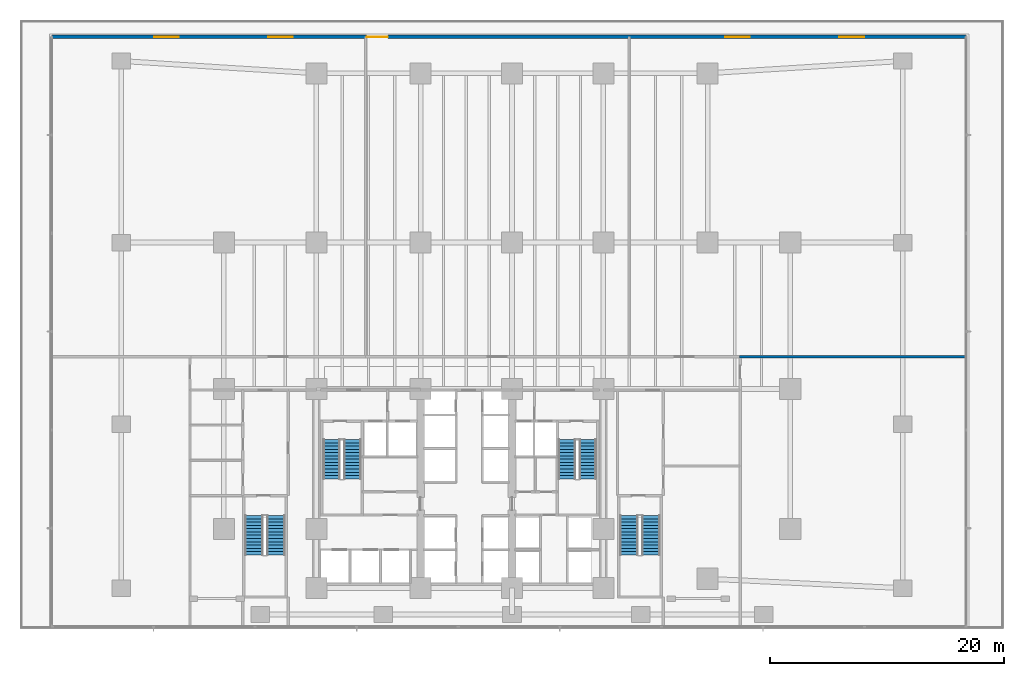
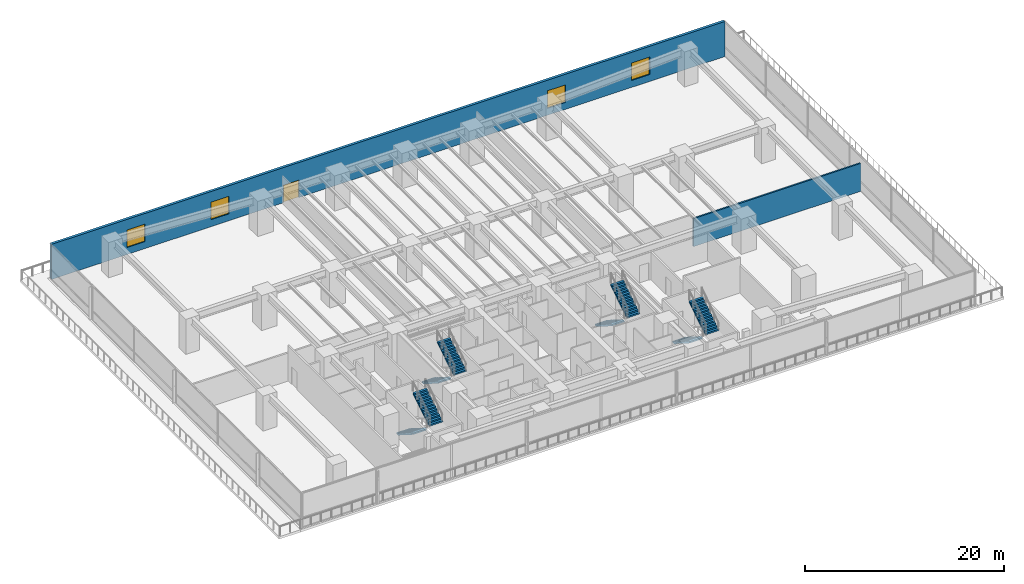
# One storey, part 13 of 27: 8 stair flights, 4 windows, 2 walls, 1 door, 5 openings, 4 elements without a shape of their own.
"""IFC4 building model written with IfcOpenShell, lengths in metres."""

from ifc_helpers import new_model, si_unit, direction, frame, frame_2d, origin, place, context, subcontext, project, spatial, polyline, rectangle, outline, extrude, material, layer, layer_set, type_object, element, fill, aggregate, save


model = new_model("IFC4")

# Units and contexts
model_context = context("Model", 3, precision=1e-05, world=origin(), true_north=direction((0.0, 1.0)))
body_context = subcontext(model_context, "Body", "Model", "MODEL_VIEW")
ifc_project = project(units=[si_unit("LENGTHUNIT", "METRE"), si_unit("AREAUNIT", "SQUARE_METRE"), si_unit("VOLUMEUNIT", "CUBIC_METRE"), si_unit("PLANEANGLEUNIT", "RADIAN"), si_unit("MASSUNIT", "GRAM", prefix="KILO")], contexts=[model_context])

# Site, building, storey
site_placement = place(None, origin())
site = spatial("IfcSite", under=ifc_project, at=site_placement, CompositionType="ELEMENT")
building_placement = place(site_placement, origin())
building = spatial("IfcBuilding", under=site, at=building_placement, Name="Qalmaran Belvedere Hotel", CompositionType="ELEMENT")
storey_placement = place(building_placement, frame((0.0, 0.0, 5.39990234375)))
storey = spatial("IfcBuildingStorey", under=building, at=storey_placement, Name="L01", CompositionType="ELEMENT", Elevation=5.39990234375)

# Wall, openings, door, windows
ifc_material_1 = material(Name="Riyadh Limestone Cladding", Category="masonry")
ifc_layer_1 = layer(ifc_material_1, 0.300048828125, Name="Riyadh Limestone Cladding")
ifc_layer_set_1 = layer_set([ifc_layer_1], Name="Riyadh Limestone Cladding")
wall_type_1 = type_object("IfcWallType", Name="WL-EXT-BRNZ-300", PredefinedType="SOLIDWALL", material=ifc_layer_set_1)
wall_1_placement = place(storey_placement, frame((-2.25, 50.550048828125, 0.0), z_axis=(0.0, 0.0, 1.0), x_axis=(1.0, 0.0, 0.0)))
wall_1 = element("IfcWall", 1, at=wall_1_placement, inside=storey, type_object=wall_type_1, Name="L01 North Terrace Wall", PredefinedType="SOLIDWALL", context=body_context, shape_type="SweptSolid", body=[
    extrude(rectangle(XDim=78.0, YDim=0.300048828125, at=frame_2d((39.0, 0.0))), origin(), (0.0, 0.0, 1.0), 4.300048828125),
])
opening_1_placement = place(wall_1_placement, frame((26.85009765625, 0.0, 0.0)))
opening_1 = element("IfcOpeningElement", 2, at=opening_1_placement, cuts=wall_1, Name="Opening TR-180", PredefinedType="OPENING", context=body_context, shape_type="SweptSolid", body=[
    extrude(rectangle(XDim=1.800048828125, YDim=2.14990234375, at=frame_2d((0.89990234375, 1.074951171875))), frame((0.0, 0.16015625, 0.0), z_axis=(0.0, -1.0, 0.0), x_axis=(1.0, 0.0, 0.0)), (0.0, 0.0, 1.0), 0.320068359375),
])
opening_2_placement = place(wall_1_placement, frame((8.699951171875, 0.0, 0.85009765625)))
opening_2 = element("IfcOpeningElement", 3, at=opening_2_placement, cuts=wall_1, Name="Opening W-P21", PredefinedType="OPENING", context=body_context, shape_type="SweptSolid", body=[
    extrude(rectangle(XDim=2.10009765625, YDim=2.14990234375, at=frame_2d((1.050048828125, 1.074951171875))), frame((0.0, 0.16015625, 0.0), z_axis=(0.0, -1.0, 0.0), x_axis=(1.0, 0.0, 0.0)), (0.0, 0.0, 1.0), 0.320068359375),
])
opening_3_placement = place(wall_1_placement, frame((18.449951171875, 0.0, 0.85009765625)))
opening_3 = element("IfcOpeningElement", 4, at=opening_3_placement, cuts=wall_1, Name="Opening W-P21", PredefinedType="OPENING", context=body_context, shape_type="SweptSolid", body=[
    extrude(rectangle(XDim=2.10009765625, YDim=2.14990234375, at=frame_2d((1.050048828125, 1.074951171875))), frame((0.0, 0.16015625, 0.0), z_axis=(0.0, -1.0, 0.0), x_axis=(1.0, 0.0, 0.0)), (0.0, 0.0, 1.0), 0.320068359375),
])
opening_4_placement = place(wall_1_placement, frame((57.449951171875, 0.0, 0.85009765625)))
opening_4 = element("IfcOpeningElement", 5, at=opening_4_placement, cuts=wall_1, Name="Opening W-P21", PredefinedType="OPENING", context=body_context, shape_type="SweptSolid", body=[
    extrude(rectangle(XDim=2.10009765625, YDim=2.14990234375, at=frame_2d((1.050048828125, 1.074951171875))), frame((0.0, 0.16015625, 0.0), z_axis=(0.0, -1.0, 0.0), x_axis=(1.0, 0.0, 0.0)), (0.0, 0.0, 1.0), 0.320068359375),
])
opening_5_placement = place(wall_1_placement, frame((67.199951171875, 0.0, 0.85009765625)))
opening_5 = element("IfcOpeningElement", 6, at=opening_5_placement, cuts=wall_1, Name="Opening W-P21", PredefinedType="OPENING", context=body_context, shape_type="SweptSolid", body=[
    extrude(rectangle(XDim=2.10009765625, YDim=2.14990234375, at=frame_2d((1.050048828125, 1.074951171875))), frame((0.0, 0.16015625, 0.0), z_axis=(0.0, -1.0, 0.0), x_axis=(1.0, 0.0, 0.0)), (0.0, 0.0, 1.0), 0.320068359375),
])
ifc_material_2 = material(Name="Anodised Bronze Aluminium", Category="aluminium")
door_type = type_object("IfcDoorType", Name="DR-TERR-1800X2150", OperationType="NOTDEFINED", PredefinedType="DOOR", material=ifc_material_2)
door_placement = place(opening_1_placement, origin())
door = element("IfcDoor", 7, at=door_placement, inside=storey, type_object=door_type, Name="L01 Podium Terrace Door", OperationType="DOUBLE_DOOR_SINGLE_SWING", OverallHeight=2.14990234375, OverallWidth=1.800048828125, PredefinedType="DOOR", context=body_context, shape_type="SweptSolid", body=[
    extrude(rectangle(XDim=1.800048828125, YDim=2.14990234375, at=frame_2d((0.89990234375, 1.074951171875))), frame((0.0, 0.02490234375, 0.0), z_axis=(0.0, -1.0, 0.0), x_axis=(1.0, 0.0, 0.0)), (0.0, 0.0, 1.0), 0.050048828125),
])
fill(opening_1, door)
ifc_material_3 = material(Name="Solar-Control Double Glazing", Category="glass")
window_type = type_object("IfcWindowType", Name="WN-POD-2100X2150", PartitioningType="SINGLE_PANEL", PredefinedType="WINDOW", material=ifc_material_3)
window_1_placement = place(opening_2_placement, origin())
window_1 = element("IfcWindow", 8, at=window_1_placement, inside=storey, type_object=window_type, Name="L01 North Chicago Bay Window 1", OverallHeight=2.14990234375, OverallWidth=2.10009765625, PartitioningType="SINGLE_PANEL", PredefinedType="WINDOW", context=body_context, shape_type="SweptSolid", body=[
    extrude(rectangle(XDim=2.10009765625, YDim=2.14990234375, at=frame_2d((1.050048828125, 1.074951171875))), frame((0.0, 0.030029296875, 0.0), z_axis=(0.0, -1.0, 0.0), x_axis=(1.0, 0.0, 0.0)), (0.0, 0.0, 1.0), 0.06005859375),
])
fill(opening_2, window_1)
window_2_placement = place(opening_3_placement, origin())
window_2 = element("IfcWindow", 9, at=window_2_placement, inside=storey, type_object=window_type, Name="L01 North Chicago Bay Window 2", OverallHeight=2.14990234375, OverallWidth=2.10009765625, PartitioningType="SINGLE_PANEL", PredefinedType="WINDOW", context=body_context, shape_type="SweptSolid", body=[
    extrude(rectangle(XDim=2.10009765625, YDim=2.14990234375, at=frame_2d((1.050048828125, 1.074951171875))), frame((0.0, 0.030029296875, 0.0), z_axis=(0.0, -1.0, 0.0), x_axis=(1.0, 0.0, 0.0)), (0.0, 0.0, 1.0), 0.06005859375),
])
fill(opening_3, window_2)
window_3_placement = place(opening_4_placement, origin())
window_3 = element("IfcWindow", 10, at=window_3_placement, inside=storey, type_object=window_type, Name="L01 North Chicago Bay Window 6", OverallHeight=2.14990234375, OverallWidth=2.10009765625, PartitioningType="SINGLE_PANEL", PredefinedType="WINDOW", context=body_context, shape_type="SweptSolid", body=[
    extrude(rectangle(XDim=2.10009765625, YDim=2.14990234375, at=frame_2d((1.050048828125, 1.074951171875))), frame((0.0, 0.030029296875, 0.0), z_axis=(0.0, -1.0, 0.0), x_axis=(1.0, 0.0, 0.0)), (0.0, 0.0, 1.0), 0.06005859375),
])
fill(opening_4, window_3)
window_4_placement = place(opening_5_placement, origin())
window_4 = element("IfcWindow", 11, at=window_4_placement, inside=storey, type_object=window_type, Name="L01 North Chicago Bay Window 7", OverallHeight=2.14990234375, OverallWidth=2.10009765625, PartitioningType="SINGLE_PANEL", PredefinedType="WINDOW", context=body_context, shape_type="SweptSolid", body=[
    extrude(rectangle(XDim=2.10009765625, YDim=2.14990234375, at=frame_2d((1.050048828125, 1.074951171875))), frame((0.0, 0.030029296875, 0.0), z_axis=(0.0, -1.0, 0.0), x_axis=(1.0, 0.0, 0.0)), (0.0, 0.0, 1.0), 0.06005859375),
])
fill(opening_5, window_4)

# Wall
ifc_material_4 = material(Name="Gypsum Stud Partition")
ifc_layer_2 = layer(ifc_material_4, 0.179931640625, Name="Gypsum Stud Partition")
ifc_layer_set_2 = layer_set([ifc_layer_2], Name="Gypsum Stud Partition")
wall_type_2 = type_object("IfcWallType", Name="WL-INT-180-EI60", PredefinedType="PARTITIONING", material=ifc_layer_set_2)
wall_2_placement = place(storey_placement, frame((56.39990234375, 23.25, 0.0), z_axis=(0.0, 0.0, 1.0), x_axis=(1.0, 0.0, 0.0)))
element("IfcWall", 12, at=wall_2_placement, inside=storey, type_object=wall_type_2, Name="L01 Partition WL-L01-GNE3", PredefinedType="PARTITIONING", context=body_context, shape_type="SweptSolid", body=[
    extrude(rectangle(XDim=19.380126953125, YDim=0.179931640625, at=frame_2d((9.68994140625, 0.0))), origin(), (0.0, 0.0, 1.0), 3.43017578125),
])

# Stair, stair flights
ifc_material_5 = material(Name="Concrete C40/50", Category="concrete")
stair_type_1 = type_object("IfcStairType", Name="STR-ST-1-1450-R1769", PredefinedType="HALF_TURN_STAIR", material=ifc_material_5)
stair_1_placement = place(storey_placement, origin())
stair_1 = element("IfcStair", 13, at=stair_1_placement, inside=storey, type_object=stair_type_1, Name="L01 West Core Exit Stair ST-1", PredefinedType="HALF_TURN_STAIR")
ifc_layer_3 = layer(ifc_material_5, 0.14990234375, Name="Concrete C40/50")
ifc_layer_set_3 = layer_set([ifc_layer_3], Name="Concrete C40/50")
stair_flight_type_1 = type_object("IfcStairFlightType", Name="STF-ST-1-1450-R1769", PredefinedType="STRAIGHT", material=ifc_layer_set_3)
stair_flight_1_placement = place(storey_placement, frame((21.60498046875, 16.18994140625, 0.0), z_axis=(0.0, 0.0, 1.0), x_axis=(0.0, -1.0, 0.0)))
stair_flight_1 = element("IfcStairFlight", 14, at=stair_flight_1_placement, type_object=stair_flight_type_1, Name="ST-1 flight 1", NumberOfRisers=13, NumberOfTreads=12, PredefinedType="STRAIGHT", RiserHeight=0.176923077, TreadLength=0.28, context=body_context, shape_type="SweptSolid", body=[
    extrude(outline(polyline([(0.0, 0.0), (0.0, 0.177001953125), (0.280029296875, 0.177001953125), (0.280029296875, 0.353759765625), (0.56005859375, 0.353759765625), (0.56005859375, 0.53076171875), (0.840087890625, 0.53076171875), (0.840087890625, 0.707763671875), (1.1201171875, 0.707763671875), (1.1201171875, 0.884521484375), (1.39990234375, 0.884521484375), (1.39990234375, 1.0615234375), (1.679931640625, 1.0615234375), (1.679931640625, 1.238525390625), (1.9599609375, 1.238525390625), (1.9599609375, 1.415283203125), (2.239990234375, 1.415283203125), (2.239990234375, 1.59228515625), (2.52001953125, 1.59228515625), (2.52001953125, 1.769287109375), (2.800048828125, 1.769287109375), (2.800048828125, 1.946044921875), (3.080078125, 1.946044921875), (3.080078125, 2.123046875), (3.360107421875, 2.123046875), (3.360107421875, 2.300048828125), (3.360107421875, 1.94580078125), (0.280517578125, 0.0), (0.0, 0.0)])), frame((0.0, 0.72509765625, 0.0), z_axis=(0.0, -1.0, 0.0), x_axis=(1.0, 0.0, 0.0)), (0.0, 0.0, 1.0), 1.449951171875),
])
stair_flight_2_placement = place(storey_placement, frame((23.39501953125, 12.830078125, 2.300048828125), z_axis=(0.0, 0.0, 1.0), x_axis=(0.0, 1.0, 0.0)))
stair_flight_2 = element("IfcStairFlight", 15, at=stair_flight_2_placement, type_object=stair_flight_type_1, Name="ST-1 flight 2", NumberOfRisers=13, NumberOfTreads=12, PredefinedType="STRAIGHT", RiserHeight=0.176923077, TreadLength=0.28, context=body_context, shape_type="SweptSolid", body=[
    extrude(outline(polyline([(0.0, 0.0), (0.0, 0.177001953125), (0.280029296875, 0.177001953125), (0.280029296875, 0.353759765625), (0.56005859375, 0.353759765625), (0.56005859375, 0.53076171875), (0.840087890625, 0.53076171875), (0.840087890625, 0.707763671875), (1.1201171875, 0.707763671875), (1.1201171875, 0.884521484375), (1.39990234375, 0.884521484375), (1.39990234375, 1.0615234375), (1.679931640625, 1.0615234375), (1.679931640625, 1.238525390625), (1.9599609375, 1.238525390625), (1.9599609375, 1.415283203125), (2.239990234375, 1.415283203125), (2.239990234375, 1.59228515625), (2.52001953125, 1.59228515625), (2.52001953125, 1.769287109375), (2.800048828125, 1.769287109375), (2.800048828125, 1.946044921875), (3.080078125, 1.946044921875), (3.080078125, 2.123046875), (3.360107421875, 2.123046875), (3.360107421875, 2.300048828125), (3.360107421875, 1.94580078125), (0.280517578125, 0.0), (0.0, 0.0)])), frame((0.0, 0.72509765625, 0.0), z_axis=(0.0, -1.0, 0.0), x_axis=(1.0, 0.0, 0.0)), (0.0, 0.0, 1.0), 1.449951171875),
])
aggregate(stair_1, [stair_flight_1, stair_flight_2])

stair_type_2 = type_object("IfcStairType", Name="STR-ST-2-1450-R1769", PredefinedType="HALF_TURN_STAIR", material=ifc_material_5)
stair_2_placement = place(storey_placement, origin())
stair_2 = element("IfcStair", 16, at=stair_2_placement, inside=storey, type_object=stair_type_2, Name="L01 East Core Exit Stair ST-2", PredefinedType="HALF_TURN_STAIR")
ifc_layer_4 = layer(ifc_material_5, 0.14990234375, Name="Concrete C40/50")
ifc_layer_set_4 = layer_set([ifc_layer_4], Name="Concrete C40/50")
stair_flight_type_2 = type_object("IfcStairFlightType", Name="STF-ST-2-1450-R1769", PredefinedType="STRAIGHT", material=ifc_layer_set_4)
stair_flight_3_placement = place(storey_placement, frame((41.68505859375, 16.18994140625, 0.0), z_axis=(0.0, 0.0, 1.0), x_axis=(0.0, -1.0, 0.0)))
stair_flight_3 = element("IfcStairFlight", 17, at=stair_flight_3_placement, type_object=stair_flight_type_2, Name="ST-2 flight 1", NumberOfRisers=13, NumberOfTreads=12, PredefinedType="STRAIGHT", RiserHeight=0.176923077, TreadLength=0.28, context=body_context, shape_type="SweptSolid", body=[
    extrude(outline(polyline([(0.0, 0.0), (0.0, 0.177001953125), (0.280029296875, 0.177001953125), (0.280029296875, 0.353759765625), (0.56005859375, 0.353759765625), (0.56005859375, 0.53076171875), (0.840087890625, 0.53076171875), (0.840087890625, 0.707763671875), (1.1201171875, 0.707763671875), (1.1201171875, 0.884521484375), (1.39990234375, 0.884521484375), (1.39990234375, 1.0615234375), (1.679931640625, 1.0615234375), (1.679931640625, 1.238525390625), (1.9599609375, 1.238525390625), (1.9599609375, 1.415283203125), (2.239990234375, 1.415283203125), (2.239990234375, 1.59228515625), (2.52001953125, 1.59228515625), (2.52001953125, 1.769287109375), (2.800048828125, 1.769287109375), (2.800048828125, 1.946044921875), (3.080078125, 1.946044921875), (3.080078125, 2.123046875), (3.360107421875, 2.123046875), (3.360107421875, 2.300048828125), (3.360107421875, 1.94580078125), (0.280517578125, 0.0), (0.0, 0.0)])), frame((0.0, 0.72509765625, 0.0), z_axis=(0.0, -1.0, 0.0), x_axis=(1.0, 0.0, 0.0)), (0.0, 0.0, 1.0), 1.449951171875),
])
stair_flight_4_placement = place(storey_placement, frame((43.47509765625, 12.830078125, 2.300048828125), z_axis=(0.0, 0.0, 1.0), x_axis=(0.0, 1.0, 0.0)))
stair_flight_4 = element("IfcStairFlight", 18, at=stair_flight_4_placement, type_object=stair_flight_type_2, Name="ST-2 flight 2", NumberOfRisers=13, NumberOfTreads=12, PredefinedType="STRAIGHT", RiserHeight=0.176923077, TreadLength=0.28, context=body_context, shape_type="SweptSolid", body=[
    extrude(outline(polyline([(0.0, 0.0), (0.0, 0.177001953125), (0.280029296875, 0.177001953125), (0.280029296875, 0.353759765625), (0.56005859375, 0.353759765625), (0.56005859375, 0.53076171875), (0.840087890625, 0.53076171875), (0.840087890625, 0.707763671875), (1.1201171875, 0.707763671875), (1.1201171875, 0.884521484375), (1.39990234375, 0.884521484375), (1.39990234375, 1.0615234375), (1.679931640625, 1.0615234375), (1.679931640625, 1.238525390625), (1.9599609375, 1.238525390625), (1.9599609375, 1.415283203125), (2.239990234375, 1.415283203125), (2.239990234375, 1.59228515625), (2.52001953125, 1.59228515625), (2.52001953125, 1.769287109375), (2.800048828125, 1.769287109375), (2.800048828125, 1.946044921875), (3.080078125, 1.946044921875), (3.080078125, 2.123046875), (3.360107421875, 2.123046875), (3.360107421875, 2.300048828125), (3.360107421875, 1.94580078125), (0.280517578125, 0.0), (0.0, 0.0)])), frame((0.0, 0.72509765625, 0.0), z_axis=(0.0, -1.0, 0.0), x_axis=(1.0, 0.0, 0.0)), (0.0, 0.0, 1.0), 1.449951171875),
])
aggregate(stair_2, [stair_flight_3, stair_flight_4])

stair_type_3 = type_object("IfcStairType", Name="STR-ST-P1-1550-R1769", PredefinedType="HALF_TURN_STAIR", material=ifc_material_5)
stair_3_placement = place(storey_placement, origin())
stair_3 = element("IfcStair", 19, at=stair_3_placement, inside=storey, type_object=stair_type_3, Name="L01 West Podium Exit Stair ST-P1", PredefinedType="HALF_TURN_STAIR")
ifc_layer_5 = layer(ifc_material_5, 0.14990234375, Name="Concrete C40/50")
ifc_layer_set_5 = layer_set([ifc_layer_5], Name="Concrete C40/50")
stair_flight_type_3 = type_object("IfcStairFlightType", Name="STF-ST-P1-1550-R1769", PredefinedType="STRAIGHT", material=ifc_layer_set_5)
stair_flight_5_placement = place(storey_placement, frame((14.97509765625, 9.699951171875, 0.0), z_axis=(0.0, 0.0, 1.0), x_axis=(0.0, -1.0, 0.0)))
stair_flight_5 = element("IfcStairFlight", 20, at=stair_flight_5_placement, type_object=stair_flight_type_3, Name="ST-P1 flight 1", NumberOfRisers=13, NumberOfTreads=12, PredefinedType="STRAIGHT", RiserHeight=0.176923077, TreadLength=0.28, context=body_context, shape_type="SweptSolid", body=[
    extrude(outline(polyline([(0.0, 0.0), (0.0, 0.177001953125), (0.280029296875, 0.177001953125), (0.280029296875, 0.353759765625), (0.56005859375, 0.353759765625), (0.56005859375, 0.53076171875), (0.840087890625, 0.53076171875), (0.840087890625, 0.707763671875), (1.1201171875, 0.707763671875), (1.1201171875, 0.884521484375), (1.39990234375, 0.884521484375), (1.39990234375, 1.0615234375), (1.679931640625, 1.0615234375), (1.679931640625, 1.238525390625), (1.9599609375, 1.238525390625), (1.9599609375, 1.415283203125), (2.239990234375, 1.415283203125), (2.239990234375, 1.59228515625), (2.52001953125, 1.59228515625), (2.52001953125, 1.769287109375), (2.800048828125, 1.769287109375), (2.800048828125, 1.946044921875), (3.080078125, 1.946044921875), (3.080078125, 2.123046875), (3.360107421875, 2.123046875), (3.360107421875, 2.300048828125), (3.360107421875, 1.94580078125), (0.280517578125, 0.0), (0.0, 0.0)])), frame((0.0, 0.77490234375, 0.0), z_axis=(0.0, -1.0, 0.0), x_axis=(1.0, 0.0, 0.0)), (0.0, 0.0, 1.0), 1.550048828125),
])
stair_flight_6_placement = place(storey_placement, frame((16.864990234375, 6.340087890625, 2.300048828125), z_axis=(0.0, 0.0, 1.0), x_axis=(0.0, 1.0, 0.0)))
stair_flight_6 = element("IfcStairFlight", 21, at=stair_flight_6_placement, type_object=stair_flight_type_3, Name="ST-P1 flight 2", NumberOfRisers=13, NumberOfTreads=12, PredefinedType="STRAIGHT", RiserHeight=0.176923077, TreadLength=0.28, context=body_context, shape_type="SweptSolid", body=[
    extrude(outline(polyline([(0.0, 0.0), (0.0, 0.177001953125), (0.280029296875, 0.177001953125), (0.280029296875, 0.353759765625), (0.56005859375, 0.353759765625), (0.56005859375, 0.53076171875), (0.840087890625, 0.53076171875), (0.840087890625, 0.707763671875), (1.1201171875, 0.707763671875), (1.1201171875, 0.884521484375), (1.39990234375, 0.884521484375), (1.39990234375, 1.0615234375), (1.679931640625, 1.0615234375), (1.679931640625, 1.238525390625), (1.9599609375, 1.238525390625), (1.9599609375, 1.415283203125), (2.239990234375, 1.415283203125), (2.239990234375, 1.59228515625), (2.52001953125, 1.59228515625), (2.52001953125, 1.769287109375), (2.800048828125, 1.769287109375), (2.800048828125, 1.946044921875), (3.080078125, 1.946044921875), (3.080078125, 2.123046875), (3.360107421875, 2.123046875), (3.360107421875, 2.300048828125), (3.360107421875, 1.94580078125), (0.280517578125, 0.0), (0.0, 0.0)])), frame((0.0, 0.77490234375, 0.0), z_axis=(0.0, -1.0, 0.0), x_axis=(1.0, 0.0, 0.0)), (0.0, 0.0, 1.0), 1.550048828125),
])
aggregate(stair_3, [stair_flight_5, stair_flight_6])

stair_type_4 = type_object("IfcStairType", Name="STR-ST-P2-1550-R1769", PredefinedType="HALF_TURN_STAIR", material=ifc_material_5)
stair_4_placement = place(storey_placement, origin())
stair_4 = element("IfcStair", 22, at=stair_4_placement, inside=storey, type_object=stair_type_4, Name="L01 East Podium Exit Stair ST-P2", PredefinedType="HALF_TURN_STAIR")
ifc_layer_6 = layer(ifc_material_5, 0.14990234375, Name="Concrete C40/50")
ifc_layer_set_6 = layer_set([ifc_layer_6], Name="Concrete C40/50")
stair_flight_type_4 = type_object("IfcStairFlightType", Name="STF-ST-P2-1550-R1769", PredefinedType="STRAIGHT", material=ifc_layer_set_6)
stair_flight_7_placement = place(storey_placement, frame((46.97509765625, 9.699951171875, 0.0), z_axis=(0.0, 0.0, 1.0), x_axis=(0.0, -1.0, 0.0)))
stair_flight_7 = element("IfcStairFlight", 23, at=stair_flight_7_placement, type_object=stair_flight_type_4, Name="ST-P2 flight 1", NumberOfRisers=13, NumberOfTreads=12, PredefinedType="STRAIGHT", RiserHeight=0.176923077, TreadLength=0.28, context=body_context, shape_type="SweptSolid", body=[
    extrude(outline(polyline([(0.0, 0.0), (0.0, 0.177001953125), (0.280029296875, 0.177001953125), (0.280029296875, 0.353759765625), (0.56005859375, 0.353759765625), (0.56005859375, 0.53076171875), (0.840087890625, 0.53076171875), (0.840087890625, 0.707763671875), (1.1201171875, 0.707763671875), (1.1201171875, 0.884521484375), (1.39990234375, 0.884521484375), (1.39990234375, 1.0615234375), (1.679931640625, 1.0615234375), (1.679931640625, 1.238525390625), (1.9599609375, 1.238525390625), (1.9599609375, 1.415283203125), (2.239990234375, 1.415283203125), (2.239990234375, 1.59228515625), (2.52001953125, 1.59228515625), (2.52001953125, 1.769287109375), (2.800048828125, 1.769287109375), (2.800048828125, 1.946044921875), (3.080078125, 1.946044921875), (3.080078125, 2.123046875), (3.360107421875, 2.123046875), (3.360107421875, 2.300048828125), (3.360107421875, 1.94580078125), (0.280517578125, 0.0), (0.0, 0.0)])), frame((0.0, 0.77490234375, 0.0), z_axis=(0.0, -1.0, 0.0), x_axis=(1.0, 0.0, 0.0)), (0.0, 0.0, 1.0), 1.550048828125),
])
stair_flight_8_placement = place(storey_placement, frame((48.864990234375, 6.340087890625, 2.300048828125), z_axis=(0.0, 0.0, 1.0), x_axis=(0.0, 1.0, 0.0)))
stair_flight_8 = element("IfcStairFlight", 24, at=stair_flight_8_placement, type_object=stair_flight_type_4, Name="ST-P2 flight 2", NumberOfRisers=13, NumberOfTreads=12, PredefinedType="STRAIGHT", RiserHeight=0.176923077, TreadLength=0.28, context=body_context, shape_type="SweptSolid", body=[
    extrude(outline(polyline([(0.0, 0.0), (0.0, 0.177001953125), (0.280029296875, 0.177001953125), (0.280029296875, 0.353759765625), (0.56005859375, 0.353759765625), (0.56005859375, 0.53076171875), (0.840087890625, 0.53076171875), (0.840087890625, 0.707763671875), (1.1201171875, 0.707763671875), (1.1201171875, 0.884521484375), (1.39990234375, 0.884521484375), (1.39990234375, 1.0615234375), (1.679931640625, 1.0615234375), (1.679931640625, 1.238525390625), (1.9599609375, 1.238525390625), (1.9599609375, 1.415283203125), (2.239990234375, 1.415283203125), (2.239990234375, 1.59228515625), (2.52001953125, 1.59228515625), (2.52001953125, 1.769287109375), (2.800048828125, 1.769287109375), (2.800048828125, 1.946044921875), (3.080078125, 1.946044921875), (3.080078125, 2.123046875), (3.360107421875, 2.123046875), (3.360107421875, 2.300048828125), (3.360107421875, 1.94580078125), (0.280517578125, 0.0), (0.0, 0.0)])), frame((0.0, 0.77490234375, 0.0), z_axis=(0.0, -1.0, 0.0), x_axis=(1.0, 0.0, 0.0)), (0.0, 0.0, 1.0), 1.550048828125),
])
aggregate(stair_4, [stair_flight_7, stair_flight_8])

save(model, "model.ifc")
